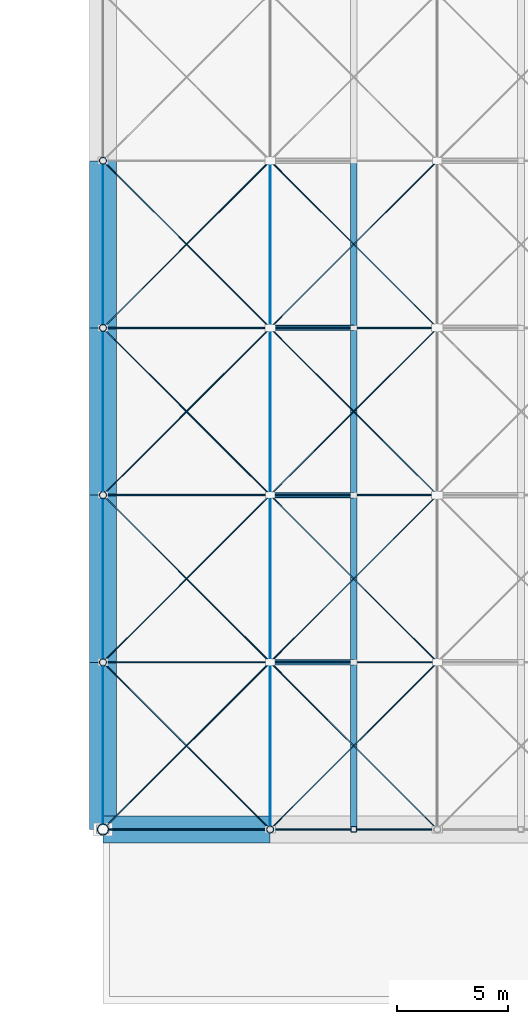
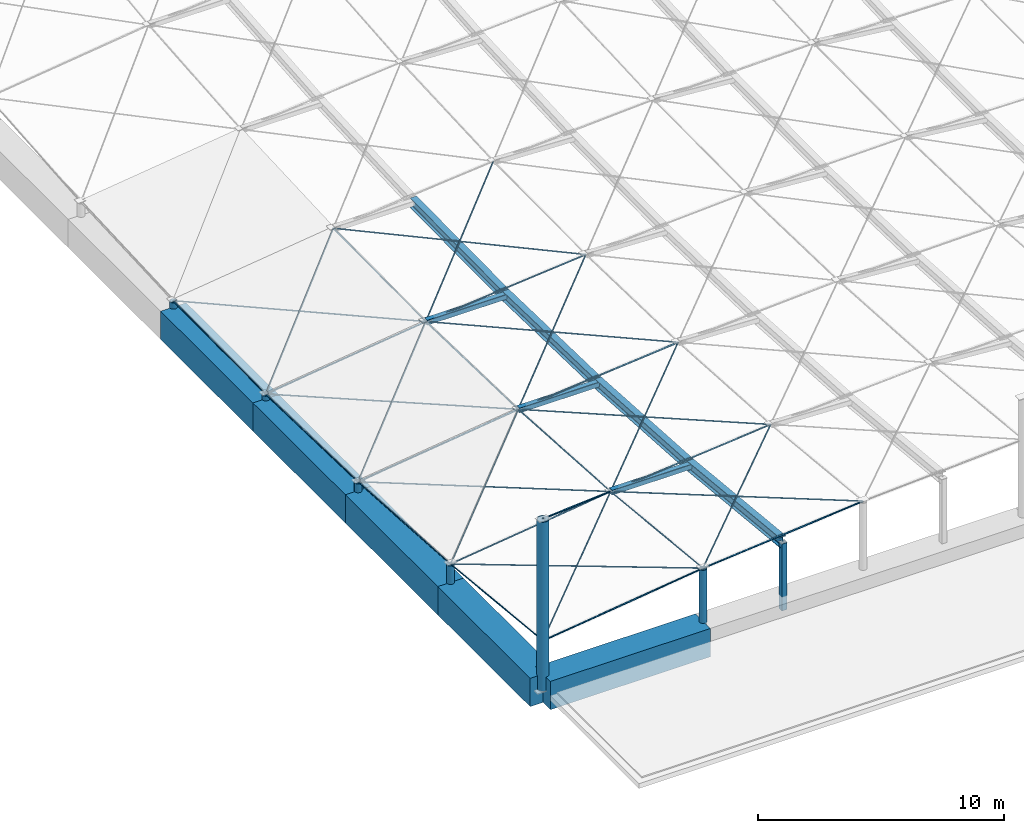
# One storey, part 1 of 17: 47 members, 5 beams.
"""IFC4 building model written with IfcOpenShell, lengths in metres."""

from ifc_helpers import new_model, si_unit, direction, frame, origin, origin_2d, place, context, subcontext, project, spatial, rectangle, hollow_rectangle, circle, hollow_circle, i_section, extrude, material, material_profile, profile_set, type_object, element, save


model = new_model("IFC4")

# Units and contexts
model_context = context("Model", 3, precision=1e-05, world=origin(), true_north=direction((0.0, 1.0)))
body_context = subcontext(model_context, "Body", "Model", "MODEL_VIEW")
ifc_project = project(units=[si_unit("LENGTHUNIT", "METRE"), si_unit("AREAUNIT", "SQUARE_METRE"), si_unit("VOLUMEUNIT", "CUBIC_METRE"), si_unit("PLANEANGLEUNIT", "RADIAN"), si_unit("MASSUNIT", "GRAM", prefix="KILO")], contexts=[model_context])

# Site, building, storey
site_placement = place(None, origin())
site = spatial("IfcSite", under=ifc_project, at=site_placement, CompositionType="ELEMENT")
building_placement = place(site_placement, origin())
building = spatial("IfcBuilding", under=site, at=building_placement, Name="Qasida Concert Hall", CompositionType="ELEMENT")
storey_placement = place(building_placement, frame((0.0, 0.0, 25.199951171875)))
storey = spatial("IfcBuildingStorey", under=building, at=storey_placement, Name="RF", CompositionType="ELEMENT", Elevation=25.199951171875)

# Beams
ifc_material_1 = material(Name="Concrete C50/60", Category="concrete")
ifc_material_profile_1 = material_profile(ifc_material_1, rectangle(XDim=1.199951171875, YDim=1.39990234375, at=origin_2d()), Name="RC 1200x1400")
ifc_profile_set_1 = profile_set([ifc_material_profile_1], Name="Concrete C50/60")
beam_type = type_object("IfcBeamType", Name="BM-RB1", PredefinedType="USERDEFINED", material=ifc_profile_set_1)
for number, where, z_axis, x_axis, name in (
    (1, (52.5, 22.5, 0.0), (1.0, 0.0, 0.0), (0.0, 1.0, 0.0), "Ring beam RB-001"),
    (2, (52.5, 22.5, 0.0), (0.0, 1.0, 0.0), (-1.0, 0.0, 0.0), "Ring beam RB-013"),
    (3, (52.5, 30.0, 0.0), (0.0, 1.0, 0.0), (-1.0, 0.0, 0.0), "Ring beam RB-014"),
    (4, (52.5, 37.5, 0.0), (0.0, 1.0, 0.0), (-1.0, 0.0, 0.0), "Ring beam RB-015"),
    (5, (52.5, 45.0, 0.0), (0.0, 1.0, 0.0), (-1.0, 0.0, 0.0), "Ring beam RB-016"),
):
    element("IfcBeam", number, at=place(storey_placement, frame(where, z_axis=z_axis, x_axis=x_axis)), inside=storey, type_object=beam_type, Name=name, ObjectType="GIRDER", PredefinedType="USERDEFINED", context=body_context, shape_type="SweptSolid", body=[
        extrude(rectangle(XDim=1.199951171875, YDim=1.39990234375, at=origin_2d()), origin(), (0.0, 0.0, 1.0), 7.5),
    ])

# Members
ifc_material_2 = material(Name="Steel S460N spiral strand EN 12385", Category="steel")
ifc_material_profile_2 = material_profile(ifc_material_2, circle(Radius=0.031982421875, at=origin_2d()), Name="STRAND D64")
ifc_profile_set_2 = profile_set([ifc_material_profile_2], Name="Steel S460N spiral strand EN 12385")
member_type_1 = type_object("IfcMemberType", Name="MB-CC1", PredefinedType="USERDEFINED", material=ifc_profile_set_2)
member_1_placement = place(storey_placement, frame((52.5, 22.5, 2.360107421875), z_axis=(0.991818265159, 0.0, 0.127657858738), x_axis=(0.0, 1.0, 0.0)))
element("IfcMember", 6, at=member_1_placement, inside=storey, type_object=member_type_1, Name="Roof cable CC-001", ObjectType="TENSION_CABLE", PredefinedType="USERDEFINED", context=body_context, shape_type="SweptSolid", body=[
    extrude(circle(Radius=0.031982421875, at=origin_2d()), origin(), (0.0, 0.0, 1.0), 7.561767578125),
])
member_2_placement = place(storey_placement, frame((60.0, 22.5, 3.325439453125), z_axis=(0.995724126481, 0.0, 0.092376750015), x_axis=(0.0, 1.0, 0.0)))
element("IfcMember", 7, at=member_2_placement, inside=storey, type_object=member_type_1, Name="Roof cable CC-002", ObjectType="TENSION_CABLE", PredefinedType="USERDEFINED", context=body_context, shape_type="SweptSolid", body=[
    extrude(circle(Radius=0.031982421875, at=origin_2d()), origin(), (0.0, 0.0, 1.0), 7.5322265625),
])
member_3_placement = place(storey_placement, frame((52.5, 37.5, 1.135009765625), z_axis=(0.991818265159, 0.0, 0.127657858738), x_axis=(0.0, 1.0, 0.0)))
element("IfcMember", 8, at=member_3_placement, inside=storey, type_object=member_type_1, Name="Roof cable CC-015", ObjectType="TENSION_CABLE", PredefinedType="USERDEFINED", context=body_context, shape_type="SweptSolid", body=[
    extrude(circle(Radius=0.031982421875, at=origin_2d()), origin(), (0.0, 0.0, 1.0), 7.561767578125),
])
member_4_placement = place(storey_placement, frame((60.0, 37.5, 2.100341796875), z_axis=(0.995724126481, 0.0, 0.092376750015), x_axis=(0.0, 1.0, 0.0)))
element("IfcMember", 9, at=member_4_placement, inside=storey, type_object=member_type_1, Name="Roof cable CC-016", ObjectType="TENSION_CABLE", PredefinedType="USERDEFINED", context=body_context, shape_type="SweptSolid", body=[
    extrude(circle(Radius=0.031982421875, at=origin_2d()), origin(), (0.0, 0.0, 1.0), 7.5322265625),
])
member_5_placement = place(storey_placement, frame((52.5, 22.5, 8.400146484375), z_axis=(0.619798279986, 0.619798279986, -0.481352453252), x_axis=(-0.707106781187, 0.707106781187, 0.0)))
element("IfcMember", 10, at=member_5_placement, inside=storey, type_object=member_type_1, Name="Roof cable guy stay GUY-01", ObjectType="TENSION_CABLE", PredefinedType="USERDEFINED", context=body_context, shape_type="SweptSolid", body=[
    extrude(circle(Radius=0.031982421875, at=origin_2d()), origin(), (0.0, 0.0, 1.0), 12.100830078125),
])
ifc_material_profile_3 = material_profile(ifc_material_2, circle(Radius=0.027099609375, at=origin_2d()), Name="STRAND D54")
ifc_profile_set_3 = profile_set([ifc_material_profile_3], Name="Steel S460N spiral strand EN 12385")
member_type_2 = type_object("IfcMemberType", Name="MB-CC2", PredefinedType="USERDEFINED", material=ifc_profile_set_3)
member_6_placement = place(storey_placement, frame((52.5, 30.0, 1.610107421875), z_axis=(0.991818265159, 0.0, 0.127657858738), x_axis=(0.0, 1.0, 0.0)))
element("IfcMember", 11, at=member_6_placement, inside=storey, type_object=member_type_2, Name="Roof cable CC-008", ObjectType="TENSION_CABLE", PredefinedType="USERDEFINED", context=body_context, shape_type="SweptSolid", body=[
    extrude(circle(Radius=0.027099609375, at=origin_2d()), origin(), (0.0, 0.0, 1.0), 7.561767578125),
])
member_7_placement = place(storey_placement, frame((60.0, 30.0, 2.575439453125), z_axis=(0.995724126481, 0.0, 0.092376750015), x_axis=(0.0, 1.0, 0.0)))
element("IfcMember", 12, at=member_7_placement, inside=storey, type_object=member_type_2, Name="Roof cable CC-009", ObjectType="TENSION_CABLE", PredefinedType="USERDEFINED", context=body_context, shape_type="SweptSolid", body=[
    extrude(circle(Radius=0.027099609375, at=origin_2d()), origin(), (0.0, 0.0, 1.0), 7.5322265625),
])
member_8_placement = place(storey_placement, frame((52.5, 45.0, 0.93505859375), z_axis=(0.991818265159, 0.0, 0.127657858738), x_axis=(0.0, 1.0, 0.0)))
element("IfcMember", 13, at=member_8_placement, inside=storey, type_object=member_type_2, Name="Roof cable CC-022", ObjectType="TENSION_CABLE", PredefinedType="USERDEFINED", context=body_context, shape_type="SweptSolid", body=[
    extrude(circle(Radius=0.027099609375, at=origin_2d()), origin(), (0.0, 0.0, 1.0), 7.561767578125),
])
member_9_placement = place(storey_placement, frame((60.0, 45.0, 1.900390625), z_axis=(0.995724126481, 0.0, 0.092376750015), x_axis=(0.0, 1.0, 0.0)))
element("IfcMember", 14, at=member_9_placement, inside=storey, type_object=member_type_2, Name="Roof cable CC-023", ObjectType="TENSION_CABLE", PredefinedType="USERDEFINED", context=body_context, shape_type="SweptSolid", body=[
    extrude(circle(Radius=0.027099609375, at=origin_2d()), origin(), (0.0, 0.0, 1.0), 7.5322265625),
])
ifc_material_3 = material(Name="Steel S355J2", Category="steel")
ifc_material_profile_4 = material_profile(ifc_material_3, i_section(OverallWidth=0.300048828125, OverallDepth=0.489990234375, WebThickness=0.011962890625, FlangeThickness=0.02294921875, FilletRadius=0.027099609375, at=origin_2d()), Name="HEA 500")
ifc_profile_set_4 = profile_set([ifc_material_profile_4], Name="Steel S355J2")
member_type_3 = type_object("IfcMemberType", Name="MB-PR3", PredefinedType="PURLIN", material=ifc_profile_set_4)
member_10_placement = place(storey_placement, frame((63.75, 22.5, 3.31689453125), z_axis=(0.0, 0.99503719021, -0.099503719021), x_axis=(-1.0, 0.0, 0.0)))
element("IfcMember", 15, at=member_10_placement, inside=storey, type_object=member_type_3, Name="Cable-net secondary rib RFR-010", PredefinedType="PURLIN", context=body_context, shape_type="SweptSolid", body=[
    extrude(i_section(OverallWidth=0.300048828125, OverallDepth=0.489990234375, WebThickness=0.011962890625, FlangeThickness=0.02294921875, FilletRadius=0.027099609375, at=origin_2d()), origin(), (0.0, 0.0, 1.0), 7.537353515625),
])
member_11_placement = place(storey_placement, frame((63.75, 30.0, 2.56689453125), z_axis=(0.0, 0.998001687114, -0.063187281297), x_axis=(-1.0, 0.0, 0.0)))
element("IfcMember", 16, at=member_11_placement, inside=storey, type_object=member_type_3, Name="Cable-net secondary rib RFR-011", PredefinedType="PURLIN", context=body_context, shape_type="SweptSolid", body=[
    extrude(i_section(OverallWidth=0.300048828125, OverallDepth=0.489990234375, WebThickness=0.011962890625, FlangeThickness=0.02294921875, FilletRadius=0.027099609375, at=origin_2d()), origin(), (0.0, 0.0, 1.0), 7.51513671875),
])
member_12_placement = place(storey_placement, frame((63.75, 37.5, 2.092041015625), z_axis=(0.0, 0.999643939919, -0.026683204125), x_axis=(-1.0, 0.0, 0.0)))
element("IfcMember", 17, at=member_12_placement, inside=storey, type_object=member_type_3, Name="Cable-net secondary rib RFR-012", PredefinedType="PURLIN", context=body_context, shape_type="SweptSolid", body=[
    extrude(i_section(OverallWidth=0.300048828125, OverallDepth=0.489990234375, WebThickness=0.011962890625, FlangeThickness=0.02294921875, FilletRadius=0.027099609375, at=origin_2d()), origin(), (0.0, 0.0, 1.0), 7.502685546875),
])
member_13_placement = place(storey_placement, frame((63.75, 45.0, 1.891845703125), z_axis=(0.0, 0.999949743033, 0.010025537788), x_axis=(-1.0, 0.0, 0.0)))
element("IfcMember", 18, at=member_13_placement, inside=storey, type_object=member_type_3, Name="Cable-net secondary rib RFR-013", PredefinedType="PURLIN", context=body_context, shape_type="SweptSolid", body=[
    extrude(i_section(OverallWidth=0.300048828125, OverallDepth=0.489990234375, WebThickness=0.011962890625, FlangeThickness=0.02294921875, FilletRadius=0.027099609375, at=origin_2d()), origin(), (0.0, 0.0, 1.0), 7.50048828125),
])
ifc_material_profile_5 = material_profile(ifc_material_2, circle(Radius=0.02197265625, at=origin_2d()), Name="STRAND D44")
ifc_profile_set_5 = profile_set([ifc_material_profile_5], Name="Steel S460N spiral strand EN 12385")
member_type_4 = type_object("IfcMemberType", Name="MB-SC1", PredefinedType="USERDEFINED", material=ifc_profile_set_5)
member_14_placement = place(storey_placement, frame((52.5, 22.5, 2.360107421875), z_axis=(0.0, 0.99503719021, -0.099503719021), x_axis=(-1.0, 0.0, 0.0)))
element("IfcMember", 19, at=member_14_placement, inside=storey, type_object=member_type_4, Name="Roof cable SC-001", ObjectType="TENSION_CABLE", PredefinedType="USERDEFINED", context=body_context, shape_type="SweptSolid", body=[
    extrude(circle(Radius=0.02197265625, at=origin_2d()), origin(), (0.0, 0.0, 1.0), 7.537353515625),
])
member_15_placement = place(storey_placement, frame((52.5, 30.0, 1.610107421875), z_axis=(0.0, 0.997999637928, -0.063219638522), x_axis=(-1.0, 0.0, 0.0)))
element("IfcMember", 20, at=member_15_placement, inside=storey, type_object=member_type_4, Name="Roof cable SC-002", ObjectType="TENSION_CABLE", PredefinedType="USERDEFINED", context=body_context, shape_type="SweptSolid", body=[
    extrude(circle(Radius=0.02197265625, at=origin_2d()), origin(), (0.0, 0.0, 1.0), 7.51513671875),
])
member_16_placement = place(storey_placement, frame((52.5, 37.5, 1.135009765625), z_axis=(0.0, 0.999644807367, -0.026650686759), x_axis=(-1.0, 0.0, 0.0)))
element("IfcMember", 21, at=member_16_placement, inside=storey, type_object=member_type_4, Name="Roof cable SC-003", ObjectType="TENSION_CABLE", PredefinedType="USERDEFINED", context=body_context, shape_type="SweptSolid", body=[
    extrude(circle(Radius=0.02197265625, at=origin_2d()), origin(), (0.0, 0.0, 1.0), 7.502685546875),
])
member_17_placement = place(storey_placement, frame((52.5, 45.0, 0.93505859375), z_axis=(0.0, 0.999950068823, 0.009992990597), x_axis=(-1.0, 0.0, 0.0)))
element("IfcMember", 22, at=member_17_placement, inside=storey, type_object=member_type_4, Name="Roof cable SC-004", ObjectType="TENSION_CABLE", PredefinedType="USERDEFINED", context=body_context, shape_type="SweptSolid", body=[
    extrude(circle(Radius=0.02197265625, at=origin_2d()), origin(), (0.0, 0.0, 1.0), 7.50048828125),
])
member_18_placement = place(storey_placement, frame((60.0, 22.5, 3.325439453125), z_axis=(0.0, 0.99503719021, -0.099503719021), x_axis=(-1.0, 0.0, 0.0)))
element("IfcMember", 23, at=member_18_placement, inside=storey, type_object=member_type_4, Name="Roof cable SC-009", ObjectType="TENSION_CABLE", PredefinedType="USERDEFINED", context=body_context, shape_type="SweptSolid", body=[
    extrude(circle(Radius=0.02197265625, at=origin_2d()), origin(), (0.0, 0.0, 1.0), 7.537353515625),
])
member_19_placement = place(storey_placement, frame((60.0, 30.0, 2.575439453125), z_axis=(0.0, 0.997999637928, -0.063219638522), x_axis=(-1.0, 0.0, 0.0)))
element("IfcMember", 24, at=member_19_placement, inside=storey, type_object=member_type_4, Name="Roof cable SC-010", ObjectType="TENSION_CABLE", PredefinedType="USERDEFINED", context=body_context, shape_type="SweptSolid", body=[
    extrude(circle(Radius=0.02197265625, at=origin_2d()), origin(), (0.0, 0.0, 1.0), 7.51513671875),
])
member_20_placement = place(storey_placement, frame((60.0, 37.5, 2.100341796875), z_axis=(0.0, 0.999644807367, -0.026650686759), x_axis=(-1.0, 0.0, 0.0)))
element("IfcMember", 25, at=member_20_placement, inside=storey, type_object=member_type_4, Name="Roof cable SC-011", ObjectType="TENSION_CABLE", PredefinedType="USERDEFINED", context=body_context, shape_type="SweptSolid", body=[
    extrude(circle(Radius=0.02197265625, at=origin_2d()), origin(), (0.0, 0.0, 1.0), 7.502685546875),
])
member_21_placement = place(storey_placement, frame((60.0, 45.0, 1.900390625), z_axis=(0.0, 0.999950068823, 0.009992990597), x_axis=(-1.0, 0.0, 0.0)))
element("IfcMember", 26, at=member_21_placement, inside=storey, type_object=member_type_4, Name="Roof cable SC-012", ObjectType="TENSION_CABLE", PredefinedType="USERDEFINED", context=body_context, shape_type="SweptSolid", body=[
    extrude(circle(Radius=0.02197265625, at=origin_2d()), origin(), (0.0, 0.0, 1.0), 7.50048828125),
])
member_22_placement = place(storey_placement, frame((52.5, 22.5, 2.360107421875), z_axis=(0.706961106016, 0.706961106016, 0.02029751613), x_axis=(-0.707106781187, 0.707106781187, 0.0)))
element("IfcMember", 27, at=member_22_placement, inside=storey, type_object=member_type_4, Name="Roof cable diagonal DC-001", ObjectType="TENSION_CABLE", PredefinedType="USERDEFINED", context=body_context, shape_type="SweptSolid", body=[
    extrude(circle(Radius=0.02197265625, at=origin_2d()), origin(), (0.0, 0.0, 1.0), 10.60888671875),
])
member_23_placement = place(storey_placement, frame((52.5, 30.0, 1.610107421875), z_axis=(0.69803734445, -0.69803734445, 0.159648775459), x_axis=(0.707106781187, 0.707106781187, 0.0)))
element("IfcMember", 28, at=member_23_placement, inside=storey, type_object=member_type_4, Name="Roof cable diagonal DC-002", ObjectType="TENSION_CABLE", PredefinedType="USERDEFINED", context=body_context, shape_type="SweptSolid", body=[
    extrude(circle(Radius=0.02197265625, at=origin_2d()), origin(), (0.0, 0.0, 1.0), 10.744384765625),
])
member_24_placement = place(storey_placement, frame((52.5, 30.0, 1.610107421875), z_axis=(0.706352705636, 0.706352705636, 0.04617045029), x_axis=(-0.707106781187, 0.707106781187, 0.0)))
element("IfcMember", 29, at=member_24_placement, inside=storey, type_object=member_type_4, Name="Roof cable diagonal DC-003", ObjectType="TENSION_CABLE", PredefinedType="USERDEFINED", context=body_context, shape_type="SweptSolid", body=[
    extrude(circle(Radius=0.02197265625, at=origin_2d()), origin(), (0.0, 0.0, 1.0), 10.617919921875),
])
member_25_placement = place(storey_placement, frame((52.5, 37.5, 1.135009765625), z_axis=(0.700675025596, -0.700675025596, 0.134569747755), x_axis=(0.707106781187, 0.707106781187, 0.0)))
element("IfcMember", 30, at=member_25_placement, inside=storey, type_object=member_type_4, Name="Roof cable diagonal DC-004", ObjectType="TENSION_CABLE", PredefinedType="USERDEFINED", context=body_context, shape_type="SweptSolid", body=[
    extrude(circle(Radius=0.02197265625, at=origin_2d()), origin(), (0.0, 0.0, 1.0), 10.703857421875),
])
member_26_placement = place(storey_placement, frame((52.5, 37.5, 1.135009765625), z_axis=(0.705272923519, 0.705272923519, 0.07197365284), x_axis=(-0.707106781187, 0.707106781187, 0.0)))
element("IfcMember", 31, at=member_26_placement, inside=storey, type_object=member_type_4, Name="Roof cable diagonal DC-005", ObjectType="TENSION_CABLE", PredefinedType="USERDEFINED", context=body_context, shape_type="SweptSolid", body=[
    extrude(circle(Radius=0.02197265625, at=origin_2d()), origin(), (0.0, 0.0, 1.0), 10.63427734375),
])
member_27_placement = place(storey_placement, frame((52.5, 45.0, 0.93505859375), z_axis=(0.702877607114, -0.702877607114, 0.10920686259), x_axis=(0.707106781187, 0.707106781187, 0.0)))
element("IfcMember", 32, at=member_27_placement, inside=storey, type_object=member_type_4, Name="Roof cable diagonal DC-006", ObjectType="TENSION_CABLE", PredefinedType="USERDEFINED", context=body_context, shape_type="SweptSolid", body=[
    extrude(circle(Radius=0.02197265625, at=origin_2d()), origin(), (0.0, 0.0, 1.0), 10.67041015625),
])
member_28_placement = place(storey_placement, frame((52.5, 45.0, 0.93505859375), z_axis=(0.703730130554, 0.703730130554, 0.09761048458), x_axis=(-0.707106781187, 0.707106781187, 0.0)))
element("IfcMember", 33, at=member_28_placement, inside=storey, type_object=member_type_4, Name="Roof cable diagonal DC-007", ObjectType="TENSION_CABLE", PredefinedType="USERDEFINED", context=body_context, shape_type="SweptSolid", body=[
    extrude(circle(Radius=0.02197265625, at=origin_2d()), origin(), (0.0, 0.0, 1.0), 10.657470703125),
])
member_29_placement = place(storey_placement, frame((52.5, 52.5, 1.010009765625), z_axis=(0.704628411049, -0.704628411049, 0.083651686689), x_axis=(0.707106781187, 0.707106781187, 0.0)))
element("IfcMember", 34, at=member_29_placement, inside=storey, type_object=member_type_4, Name="Roof cable diagonal DC-008", ObjectType="TENSION_CABLE", PredefinedType="USERDEFINED", context=body_context, shape_type="SweptSolid", body=[
    extrude(circle(Radius=0.02197265625, at=origin_2d()), origin(), (0.0, 0.0, 1.0), 10.643798828125),
])
member_30_placement = place(storey_placement, frame((60.0, 22.5, 3.325439453125), z_axis=(0.707097549522, 0.707097549522, -0.005109884635), x_axis=(-0.707106781187, 0.707106781187, 0.0)))
element("IfcMember", 35, at=member_30_placement, inside=storey, type_object=member_type_4, Name="Roof cable diagonal DC-017", ObjectType="TENSION_CABLE", PredefinedType="USERDEFINED", context=body_context, shape_type="SweptSolid", body=[
    extrude(circle(Radius=0.02197265625, at=origin_2d()), origin(), (0.0, 0.0, 1.0), 10.606689453125),
])
member_31_placement = place(storey_placement, frame((60.0, 30.0, 2.575439453125), z_axis=(0.70062762901, -0.70062762901, 0.135062396452), x_axis=(0.707106781187, 0.707106781187, 0.0)))
element("IfcMember", 36, at=member_31_placement, inside=storey, type_object=member_type_4, Name="Roof cable diagonal DC-018", ObjectType="TENSION_CABLE", PredefinedType="USERDEFINED", context=body_context, shape_type="SweptSolid", body=[
    extrude(circle(Radius=0.02197265625, at=origin_2d()), origin(), (0.0, 0.0, 1.0), 10.70458984375),
])
member_32_placement = place(storey_placement, frame((60.0, 30.0, 2.575439453125), z_axis=(0.706953750528, 0.706953750528, 0.02080358693), x_axis=(-0.707106781187, 0.707106781187, 0.0)))
element("IfcMember", 37, at=member_32_placement, inside=storey, type_object=member_type_4, Name="Roof cable diagonal DC-019", ObjectType="TENSION_CABLE", PredefinedType="USERDEFINED", context=body_context, shape_type="SweptSolid", body=[
    extrude(circle(Radius=0.02197265625, at=origin_2d()), origin(), (0.0, 0.0, 1.0), 10.60888671875),
])
member_33_placement = place(storey_placement, frame((60.0, 37.5, 2.100341796875), z_axis=(0.70283711937, -0.70283711937, 0.109726784652), x_axis=(0.707106781187, 0.707106781187, 0.0)))
element("IfcMember", 38, at=member_33_placement, inside=storey, type_object=member_type_4, Name="Roof cable diagonal DC-020", ObjectType="TENSION_CABLE", PredefinedType="USERDEFINED", context=body_context, shape_type="SweptSolid", body=[
    extrude(circle(Radius=0.02197265625, at=origin_2d()), origin(), (0.0, 0.0, 1.0), 10.671142578125),
])
member_34_placement = place(storey_placement, frame((60.0, 37.5, 2.100341796875), z_axis=(0.706335360484, 0.706335360484, 0.046698148345), x_axis=(-0.707106781187, 0.707106781187, 0.0)))
element("IfcMember", 39, at=member_34_placement, inside=storey, type_object=member_type_4, Name="Roof cable diagonal DC-021", ObjectType="TENSION_CABLE", PredefinedType="USERDEFINED", context=body_context, shape_type="SweptSolid", body=[
    extrude(circle(Radius=0.02197265625, at=origin_2d()), origin(), (0.0, 0.0, 1.0), 10.6181640625),
])
member_35_placement = place(storey_placement, frame((60.0, 45.0, 1.900390625), z_axis=(0.704598579429, -0.704598579429, 0.084152740492), x_axis=(0.707106781187, 0.707106781187, 0.0)))
element("IfcMember", 40, at=member_35_placement, inside=storey, type_object=member_type_4, Name="Roof cable diagonal DC-022", ObjectType="TENSION_CABLE", PredefinedType="USERDEFINED", context=body_context, shape_type="SweptSolid", body=[
    extrude(circle(Radius=0.02197265625, at=origin_2d()), origin(), (0.0, 0.0, 1.0), 10.644287109375),
])
member_36_placement = place(storey_placement, frame((60.0, 45.0, 1.900390625), z_axis=(0.705247196655, 0.705247196655, 0.072476087234), x_axis=(-0.707106781187, 0.707106781187, 0.0)))
element("IfcMember", 41, at=member_36_placement, inside=storey, type_object=member_type_4, Name="Roof cable diagonal DC-023", ObjectType="TENSION_CABLE", PredefinedType="USERDEFINED", context=body_context, shape_type="SweptSolid", body=[
    extrude(circle(Radius=0.02197265625, at=origin_2d()), origin(), (0.0, 0.0, 1.0), 10.634521484375),
])
member_37_placement = place(storey_placement, frame((60.0, 52.5, 1.975341796875), z_axis=(0.705898519365, -0.705898519365, 0.058434242668), x_axis=(0.707106781187, 0.707106781187, 0.0)))
element("IfcMember", 42, at=member_37_placement, inside=storey, type_object=member_type_4, Name="Roof cable diagonal DC-024", ObjectType="TENSION_CABLE", PredefinedType="USERDEFINED", context=body_context, shape_type="SweptSolid", body=[
    extrude(circle(Radius=0.02197265625, at=origin_2d()), origin(), (0.0, 0.0, 1.0), 10.624755859375),
])
ifc_material_profile_6 = material_profile(ifc_material_3, hollow_circle(Radius=0.25390625, WallThickness=0.02490234375, at=origin_2d()), Name="CHS 508x25")
ifc_profile_set_6 = profile_set([ifc_material_profile_6], Name="Steel S355J2")
member_type_5 = type_object("IfcMemberType", Name="MB-ST1", PredefinedType="STRUT", material=ifc_profile_set_6)
member_38_placement = place(storey_placement, frame((52.5, 22.5, 0.0), z_axis=(0.0, 0.0, 1.0), x_axis=(1.0, 0.0, 0.0)))
element("IfcMember", 43, at=member_38_placement, inside=storey, type_object=member_type_5, Name="Cable-net mast MS-01", PredefinedType="STRUT", context=body_context, shape_type="SweptSolid", body=[
    extrude(hollow_circle(Radius=0.25390625, WallThickness=0.02490234375, at=origin_2d()), origin(), (0.0, 0.0, 1.0), 8.400146484375),
])
ifc_material_profile_7 = material_profile(ifc_material_3, hollow_circle(Radius=0.161865234375, WallThickness=0.01611328125, at=origin_2d()), Name="CHS 323.9x16")
ifc_profile_set_7 = profile_set([ifc_material_profile_7], Name="Steel S355J2")
member_type_6 = type_object("IfcMemberType", Name="MB-ST3", PredefinedType="STRUT", material=ifc_profile_set_7)
member_39_placement = place(storey_placement, frame((52.5, 30.0, 0.0), z_axis=(0.0, 0.0, 1.0), x_axis=(1.0, 0.0, 0.0)))
element("IfcMember", 44, at=member_39_placement, inside=storey, type_object=member_type_6, Name="Roof ring-beam edge strut EST-001", PredefinedType="STRUT", context=body_context, shape_type="SweptSolid", body=[
    extrude(hollow_circle(Radius=0.161865234375, WallThickness=0.01611328125, at=origin_2d()), origin(), (0.0, 0.0, 1.0), 1.610107421875),
])
member_40_placement = place(storey_placement, frame((52.5, 37.5, 0.0), z_axis=(0.0, 0.0, 1.0), x_axis=(1.0, 0.0, 0.0)))
element("IfcMember", 45, at=member_40_placement, inside=storey, type_object=member_type_6, Name="Roof ring-beam edge strut EST-002", PredefinedType="STRUT", context=body_context, shape_type="SweptSolid", body=[
    extrude(hollow_circle(Radius=0.161865234375, WallThickness=0.01611328125, at=origin_2d()), origin(), (0.0, 0.0, 1.0), 1.135009765625),
])
member_41_placement = place(storey_placement, frame((52.5, 45.0, 0.0), z_axis=(0.0, 0.0, 1.0), x_axis=(1.0, 0.0, 0.0)))
element("IfcMember", 46, at=member_41_placement, inside=storey, type_object=member_type_6, Name="Roof ring-beam edge strut EST-003", PredefinedType="STRUT", context=body_context, shape_type="SweptSolid", body=[
    extrude(hollow_circle(Radius=0.161865234375, WallThickness=0.01611328125, at=origin_2d()), origin(), (0.0, 0.0, 1.0), 0.93505859375),
])
member_42_placement = place(storey_placement, frame((52.5, 52.5, 0.0), z_axis=(0.0, 0.0, 1.0), x_axis=(1.0, 0.0, 0.0)))
element("IfcMember", 47, at=member_42_placement, inside=storey, type_object=member_type_6, Name="Roof ring-beam edge strut EST-004", PredefinedType="STRUT", context=body_context, shape_type="SweptSolid", body=[
    extrude(hollow_circle(Radius=0.161865234375, WallThickness=0.01611328125, at=origin_2d()), origin(), (0.0, 0.0, 1.0), 1.010009765625),
])
member_43_placement = place(storey_placement, frame((60.0, 22.5, 0.0), z_axis=(0.0, 0.0, 1.0), x_axis=(1.0, 0.0, 0.0)))
element("IfcMember", 48, at=member_43_placement, inside=storey, type_object=member_type_6, Name="Roof ring-beam edge strut EST-008", PredefinedType="STRUT", context=body_context, shape_type="SweptSolid", body=[
    extrude(hollow_circle(Radius=0.161865234375, WallThickness=0.01611328125, at=origin_2d()), origin(), (0.0, 0.0, 1.0), 3.325439453125),
])
ifc_material_profile_8 = material_profile(ifc_material_3, hollow_rectangle(XDim=0.25, YDim=0.25, WallThickness=0.012451171875, InnerFilletRadius=0.012451171875, OuterFilletRadius=0.02490234375, at=origin_2d()), Name="SHS 250x250x12.5")
ifc_profile_set_8 = profile_set([ifc_material_profile_8], Name="Steel S355J2")
member_type_7 = type_object("IfcMemberType", Name="MB-ST5", PredefinedType="STRUT", material=ifc_profile_set_8)
member_44_placement = place(storey_placement, frame((63.75, 22.5, 0.0), z_axis=(0.0, 0.0, 1.0), x_axis=(1.0, 0.0, 0.0)))
element("IfcMember", 49, at=member_44_placement, inside=storey, type_object=member_type_7, Name="Cable-net rib post RFRE-001", PredefinedType="STRUT", context=body_context, shape_type="SweptSolid", body=[
    extrude(hollow_rectangle(XDim=0.25, YDim=0.25, WallThickness=0.012451171875, InnerFilletRadius=0.012451171875, OuterFilletRadius=0.02490234375, at=origin_2d()), origin(), (0.0, 0.0, 1.0), 3.31689453125),
])
for number, where, z_axis, x_axis, name in (
    (50, (60.0, 30.0, 2.575439453125), (0.999997403897, 0.0, -0.002278639918), (0.0, 1.0, 0.0), "Cable-net rib hanger strut RFRH-003"),
    (51, (60.0, 37.5, 2.100341796875), (0.999997550126, 0.0, -0.002213536244), (0.0, 1.0, 0.0), "Cable-net rib hanger strut RFRH-004"),
    (52, (60.0, 45.0, 1.900390625), (0.999997403897, 0.0, -0.002278639918), (0.0, 1.0, 0.0), "Cable-net rib hanger strut RFRH-005"),
):
    element("IfcMember", number, at=place(storey_placement, frame(where, z_axis=z_axis, x_axis=x_axis)), inside=storey, type_object=member_type_7, Name=name, PredefinedType="STRUT", context=body_context, shape_type="SweptSolid", body=[
        extrude(hollow_rectangle(XDim=0.25, YDim=0.25, WallThickness=0.012451171875, InnerFilletRadius=0.012451171875, OuterFilletRadius=0.02490234375, at=origin_2d()), origin(), (0.0, 0.0, 1.0), 3.75),
    ])

save(model, "model.ifc")
